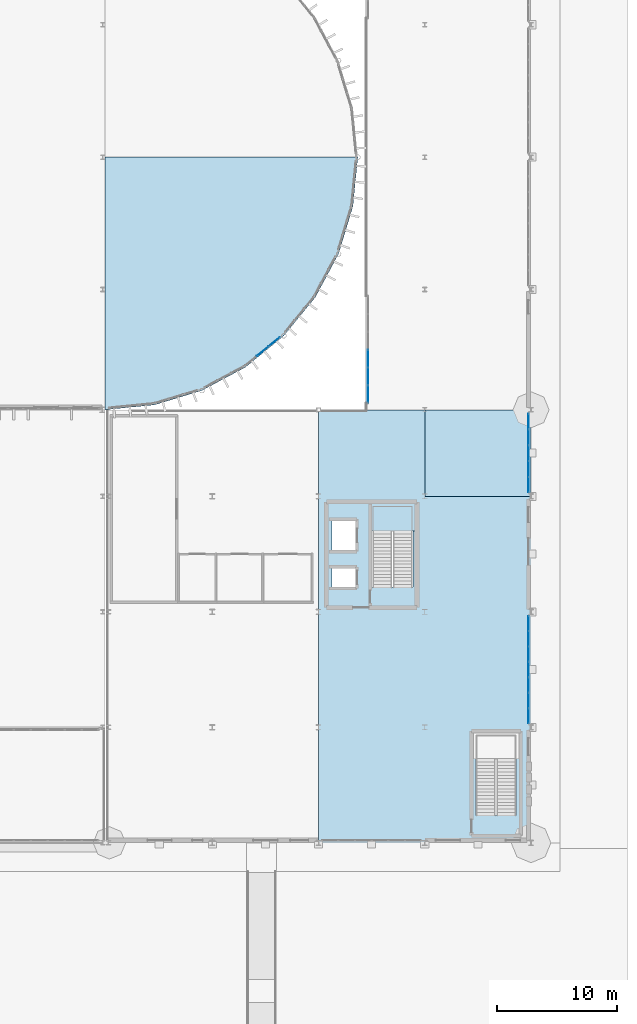
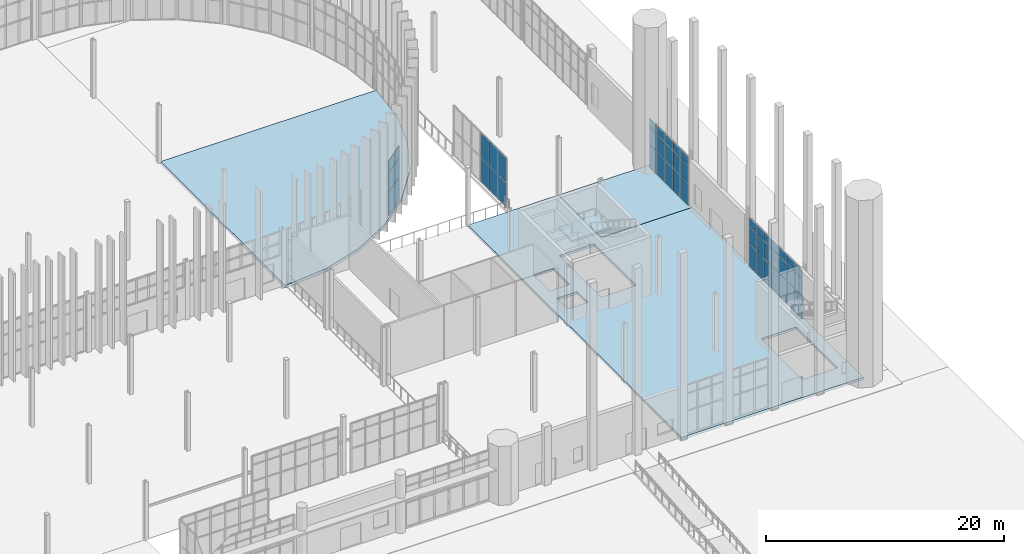
# One storey, part 82 of 139: 48 plates, 4 slabs, 5 elements without a shape of their own.
"""IFC4 building model written with IfcOpenShell, lengths in metres."""

from ifc_helpers import new_model, si_unit, direction, frame, origin, origin_2d, place, context, subcontext, project, spatial, polyline, rectangle, outline, extrude, material, layer, layer_set, type_object, element, aggregate, save


model = new_model("IFC4")

# Units and contexts
model_context = context("Model", 3, precision=1e-05, world=origin(), true_north=direction((0.0, 1.0)))
body_context = subcontext(model_context, "Body", "Model", "MODEL_VIEW")
ifc_project = project(units=[si_unit("LENGTHUNIT", "METRE"), si_unit("AREAUNIT", "SQUARE_METRE"), si_unit("VOLUMEUNIT", "CUBIC_METRE"), si_unit("PLANEANGLEUNIT", "RADIAN"), si_unit("MASSUNIT", "GRAM", prefix="KILO")], contexts=[model_context])

# Site, building, storey
site_placement = place(None, origin())
site = spatial("IfcSite", under=ifc_project, at=site_placement, CompositionType="ELEMENT")
building_placement = place(site_placement, origin())
building = spatial("IfcBuilding", under=site, at=building_placement, Name="Yeouljin Market Hall", CompositionType="ELEMENT")
storey_placement = place(building_placement, origin())
storey = spatial("IfcBuildingStorey", under=building, at=storey_placement, Name="L00", CompositionType="ELEMENT", Elevation=0.0)

# Curtain wall, plates
ifc_material_1 = material(Name="Thermally Broken Aluminium", Category="aluminium")
ifc_layer_1 = layer(ifc_material_1, 0.179931640625)
ifc_layer_set_1 = layer_set([ifc_layer_1], Name="Thermally Broken Aluminium")
curtain_wall_type_1 = type_object("IfcCurtainWallType", Name="CW_ApseCurved_System", PredefinedType="USERDEFINED", material=ifc_layer_set_1)
curtain_wall_1_placement = place(storey_placement, origin())
curtain_wall_1 = element("IfcCurtainWall", 1, at=curtain_wall_1_placement, inside=storey, type_object=curtain_wall_type_1, Name="Curtain wall CW-AP-EL00-04", ObjectType="CURTAIN WALL", PredefinedType="USERDEFINED")
ifc_material_2 = material(Name="Low-E Insulated Glass", Category="glass")
ifc_layer_2 = layer(ifc_material_2, 0.031982421875)
ifc_layer_set_2 = layer_set([ifc_layer_2], Name="Low-E Insulated Glass")
plate_type_1 = type_object("IfcPlateType", Name="CWPanel_AcousticGlass_32", PredefinedType="CURTAIN_PANEL", material=ifc_layer_set_2)
plate_1_placement = place(storey_placement, frame((155.052490234375, 41.6513671875, 0.0478515625), z_axis=(0.0, 0.0, 1.0), x_axis=(-0.773017717982, -0.634384432096, 0.0)))
plate_1 = element("IfcPlate", 2, at=plate_1_placement, type_object=plate_type_1, Name="CW-03 panel 1.1", PredefinedType="CURTAIN_PANEL", context=body_context, shape_type="SweptSolid", body=[
    extrude(rectangle(XDim=1.185791015625, YDim=0.031982421875, at=origin_2d()), origin(), (0.0, 0.0, 1.0), 2.327880859375),
])
plate_2_placement = place(storey_placement, frame((155.052490234375, 41.6513671875, 2.423828125), z_axis=(0.0, 0.0, 1.0), x_axis=(-0.773017717982, -0.634384432096, 0.0)))
plate_2 = element("IfcPlate", 3, at=plate_2_placement, type_object=plate_type_1, Name="CW-03 panel 1.2", PredefinedType="CURTAIN_PANEL", context=body_context, shape_type="SweptSolid", body=[
    extrude(rectangle(XDim=1.185791015625, YDim=0.031982421875, at=origin_2d()), origin(), (0.0, 0.0, 1.0), 1.951904296875),
])
plate_3_placement = place(storey_placement, frame((155.052490234375, 41.6513671875, 4.424072265625), z_axis=(0.0, 0.0, 1.0), x_axis=(-0.773017717982, -0.634384432096, 0.0)))
plate_3 = element("IfcPlate", 4, at=plate_3_placement, type_object=plate_type_1, Name="CW-03 panel 1.3", PredefinedType="CURTAIN_PANEL", context=body_context, shape_type="SweptSolid", body=[
    extrude(rectangle(XDim=1.185791015625, YDim=0.031982421875, at=origin_2d()), origin(), (0.0, 0.0, 1.0), 1.2080078125),
])
plate_4_placement = place(storey_placement, frame((154.089599609375, 40.861083984375, 0.0478515625), z_axis=(0.0, 0.0, 1.0), x_axis=(-0.773017717982, -0.634384432096, 0.0)))
plate_4 = element("IfcPlate", 5, at=plate_4_placement, type_object=plate_type_1, Name="CW-03 panel 2.1", PredefinedType="CURTAIN_PANEL", context=body_context, shape_type="SweptSolid", body=[
    extrude(rectangle(XDim=1.209716796875, YDim=0.031982421875, at=origin_2d()), origin(), (0.0, 0.0, 1.0), 2.327880859375),
])
plate_5_placement = place(storey_placement, frame((154.089599609375, 40.861083984375, 2.423828125), z_axis=(0.0, 0.0, 1.0), x_axis=(-0.773017717982, -0.634384432096, 0.0)))
plate_5 = element("IfcPlate", 6, at=plate_5_placement, type_object=plate_type_1, Name="CW-03 panel 2.2", PredefinedType="CURTAIN_PANEL", context=body_context, shape_type="SweptSolid", body=[
    extrude(rectangle(XDim=1.209716796875, YDim=0.031982421875, at=origin_2d()), origin(), (0.0, 0.0, 1.0), 1.951904296875),
])
plate_6_placement = place(storey_placement, frame((154.089599609375, 40.861083984375, 4.424072265625), z_axis=(0.0, 0.0, 1.0), x_axis=(-0.773017717982, -0.634384432096, 0.0)))
plate_6 = element("IfcPlate", 7, at=plate_6_placement, type_object=plate_type_1, Name="CW-03 panel 2.3", PredefinedType="CURTAIN_PANEL", context=body_context, shape_type="SweptSolid", body=[
    extrude(rectangle(XDim=1.209716796875, YDim=0.031982421875, at=origin_2d()), origin(), (0.0, 0.0, 1.0), 1.2080078125),
])
aggregate(curtain_wall_1, [plate_1, plate_2, plate_3, plate_4, plate_5, plate_6])

ifc_material_3 = material(Name="Thermally Broken Aluminium", Category="aluminium")
ifc_layer_3 = layer(ifc_material_3, 0.14990234375)
ifc_layer_set_3 = layer_set([ifc_layer_3], Name="Thermally Broken Aluminium")
curtain_wall_type_2 = type_object("IfcCurtainWallType", Name="CW_WingStorefront_System", PredefinedType="USERDEFINED", material=ifc_layer_set_3)
curtain_wall_2_placement = place(storey_placement, origin())
curtain_wall_2 = element("IfcCurtainWall", 8, at=curtain_wall_2_placement, inside=storey, type_object=curtain_wall_type_2, Name="Curtain wall CW-V3E-L00-6", ObjectType="CURTAIN WALL", PredefinedType="USERDEFINED")
ifc_material_4 = material(Name="Low-E Insulated Glass", Category="glass")
ifc_layer_4 = layer(ifc_material_4, 0.028076171875)
ifc_layer_set_4 = layer_set([ifc_layer_4], Name="Low-E Insulated Glass")
plate_type_2 = type_object("IfcPlateType", Name="CWPanel_LowE_28", PredefinedType="CURTAIN_PANEL", material=ifc_layer_set_4)
plate_7_placement = place(storey_placement, frame((176.199951171875, 35.028076171875, 0.0478515625), z_axis=(0.0, 0.0, 1.0), x_axis=(0.0, -1.0, 0.0)))
plate_7 = element("IfcPlate", 9, at=plate_7_placement, type_object=plate_type_2, Name="CW-04 panel 1.1", PredefinedType="CURTAIN_PANEL", context=body_context, shape_type="SweptSolid", body=[
    extrude(rectangle(XDim=1.248046875, YDim=0.028076171875, at=origin_2d()), origin(), (0.0, 0.0, 1.0), 2.327880859375),
])
plate_8_placement = place(storey_placement, frame((176.199951171875, 35.028076171875, 2.424072265625), z_axis=(0.0, 0.0, 1.0), x_axis=(0.0, -1.0, 0.0)))
plate_8 = element("IfcPlate", 10, at=plate_8_placement, type_object=plate_type_2, Name="CW-04 panel 1.2", PredefinedType="CURTAIN_PANEL", context=body_context, shape_type="SweptSolid", body=[
    extrude(rectangle(XDim=1.248046875, YDim=0.028076171875, at=origin_2d()), origin(), (0.0, 0.0, 1.0), 1.751953125),
])
plate_9_placement = place(storey_placement, frame((176.199951171875, 35.028076171875, 4.22412109375), z_axis=(0.0, 0.0, 1.0), x_axis=(0.0, -1.0, 0.0)))
plate_9 = element("IfcPlate", 11, at=plate_9_placement, type_object=plate_type_2, Name="CW-04 panel 1.3", PredefinedType="CURTAIN_PANEL", context=body_context, shape_type="SweptSolid", body=[
    extrude(rectangle(XDim=1.248046875, YDim=0.028076171875, at=origin_2d()), origin(), (0.0, 0.0, 1.0), 0.847900390625),
])
plate_10_placement = place(storey_placement, frame((176.199951171875, 33.719970703125, 0.0478515625), z_axis=(0.0, 0.0, 1.0), x_axis=(0.0, -1.0, 0.0)))
plate_10 = element("IfcPlate", 12, at=plate_10_placement, type_object=plate_type_2, Name="CW-04 panel 2.1", PredefinedType="CURTAIN_PANEL", context=body_context, shape_type="SweptSolid", body=[
    extrude(rectangle(XDim=1.27197265625, YDim=0.028076171875, at=origin_2d()), origin(), (0.0, 0.0, 1.0), 2.327880859375),
])
plate_11_placement = place(storey_placement, frame((176.199951171875, 33.719970703125, 2.424072265625), z_axis=(0.0, 0.0, 1.0), x_axis=(0.0, -1.0, 0.0)))
plate_11 = element("IfcPlate", 13, at=plate_11_placement, type_object=plate_type_2, Name="CW-04 panel 2.2", PredefinedType="CURTAIN_PANEL", context=body_context, shape_type="SweptSolid", body=[
    extrude(rectangle(XDim=1.27197265625, YDim=0.028076171875, at=origin_2d()), origin(), (0.0, 0.0, 1.0), 1.751953125),
])
plate_12_placement = place(storey_placement, frame((176.199951171875, 33.719970703125, 4.22412109375), z_axis=(0.0, 0.0, 1.0), x_axis=(0.0, -1.0, 0.0)))
plate_12 = element("IfcPlate", 14, at=plate_12_placement, type_object=plate_type_2, Name="CW-04 panel 2.3", PredefinedType="CURTAIN_PANEL", context=body_context, shape_type="SweptSolid", body=[
    extrude(rectangle(XDim=1.27197265625, YDim=0.028076171875, at=origin_2d()), origin(), (0.0, 0.0, 1.0), 0.847900390625),
])
plate_13_placement = place(storey_placement, frame((176.199951171875, 32.39990234375, 0.0478515625), z_axis=(0.0, 0.0, 1.0), x_axis=(0.0, -1.0, 0.0)))
plate_13 = element("IfcPlate", 15, at=plate_13_placement, type_object=plate_type_2, Name="CW-04 panel 3.1", PredefinedType="CURTAIN_PANEL", context=body_context, shape_type="SweptSolid", body=[
    extrude(rectangle(XDim=1.27197265625, YDim=0.028076171875, at=origin_2d()), origin(), (0.0, 0.0, 1.0), 2.327880859375),
])
plate_14_placement = place(storey_placement, frame((176.199951171875, 32.39990234375, 2.424072265625), z_axis=(0.0, 0.0, 1.0), x_axis=(0.0, -1.0, 0.0)))
plate_14 = element("IfcPlate", 16, at=plate_14_placement, type_object=plate_type_2, Name="CW-04 panel 3.2", PredefinedType="CURTAIN_PANEL", context=body_context, shape_type="SweptSolid", body=[
    extrude(rectangle(XDim=1.27197265625, YDim=0.028076171875, at=origin_2d()), origin(), (0.0, 0.0, 1.0), 1.751953125),
])
plate_15_placement = place(storey_placement, frame((176.199951171875, 32.39990234375, 4.22412109375), z_axis=(0.0, 0.0, 1.0), x_axis=(0.0, -1.0, 0.0)))
plate_15 = element("IfcPlate", 17, at=plate_15_placement, type_object=plate_type_2, Name="CW-04 panel 3.3", PredefinedType="CURTAIN_PANEL", context=body_context, shape_type="SweptSolid", body=[
    extrude(rectangle(XDim=1.27197265625, YDim=0.028076171875, at=origin_2d()), origin(), (0.0, 0.0, 1.0), 0.847900390625),
])
plate_16_placement = place(storey_placement, frame((176.199951171875, 31.080078125, 0.0478515625), z_axis=(0.0, 0.0, 1.0), x_axis=(0.0, -1.0, 0.0)))
plate_16 = element("IfcPlate", 18, at=plate_16_placement, type_object=plate_type_2, Name="CW-04 panel 4.1", PredefinedType="CURTAIN_PANEL", context=body_context, shape_type="SweptSolid", body=[
    extrude(rectangle(XDim=1.27197265625, YDim=0.028076171875, at=origin_2d()), origin(), (0.0, 0.0, 1.0), 2.327880859375),
])
plate_17_placement = place(storey_placement, frame((176.199951171875, 31.080078125, 2.424072265625), z_axis=(0.0, 0.0, 1.0), x_axis=(0.0, -1.0, 0.0)))
plate_17 = element("IfcPlate", 19, at=plate_17_placement, type_object=plate_type_2, Name="CW-04 panel 4.2", PredefinedType="CURTAIN_PANEL", context=body_context, shape_type="SweptSolid", body=[
    extrude(rectangle(XDim=1.27197265625, YDim=0.028076171875, at=origin_2d()), origin(), (0.0, 0.0, 1.0), 1.751953125),
])
plate_18_placement = place(storey_placement, frame((176.199951171875, 31.080078125, 4.22412109375), z_axis=(0.0, 0.0, 1.0), x_axis=(0.0, -1.0, 0.0)))
plate_18 = element("IfcPlate", 20, at=plate_18_placement, type_object=plate_type_2, Name="CW-04 panel 4.3", PredefinedType="CURTAIN_PANEL", context=body_context, shape_type="SweptSolid", body=[
    extrude(rectangle(XDim=1.27197265625, YDim=0.028076171875, at=origin_2d()), origin(), (0.0, 0.0, 1.0), 0.847900390625),
])
plate_19_placement = place(storey_placement, frame((176.199951171875, 29.77197265625, 0.0478515625), z_axis=(0.0, 0.0, 1.0), x_axis=(0.0, -1.0, 0.0)))
plate_19 = element("IfcPlate", 21, at=plate_19_placement, type_object=plate_type_2, Name="CW-04 panel 5.1", PredefinedType="CURTAIN_PANEL", context=body_context, shape_type="SweptSolid", body=[
    extrude(rectangle(XDim=1.248046875, YDim=0.028076171875, at=origin_2d()), origin(), (0.0, 0.0, 1.0), 2.327880859375),
])
plate_20_placement = place(storey_placement, frame((176.199951171875, 29.77197265625, 2.424072265625), z_axis=(0.0, 0.0, 1.0), x_axis=(0.0, -1.0, 0.0)))
plate_20 = element("IfcPlate", 22, at=plate_20_placement, type_object=plate_type_2, Name="CW-04 panel 5.2", PredefinedType="CURTAIN_PANEL", context=body_context, shape_type="SweptSolid", body=[
    extrude(rectangle(XDim=1.248046875, YDim=0.028076171875, at=origin_2d()), origin(), (0.0, 0.0, 1.0), 1.751953125),
])
plate_21_placement = place(storey_placement, frame((176.199951171875, 29.77197265625, 4.22412109375), z_axis=(0.0, 0.0, 1.0), x_axis=(0.0, -1.0, 0.0)))
plate_21 = element("IfcPlate", 23, at=plate_21_placement, type_object=plate_type_2, Name="CW-04 panel 5.3", PredefinedType="CURTAIN_PANEL", context=body_context, shape_type="SweptSolid", body=[
    extrude(rectangle(XDim=1.248046875, YDim=0.028076171875, at=origin_2d()), origin(), (0.0, 0.0, 1.0), 0.847900390625),
])
aggregate(curtain_wall_2, [plate_7, plate_8, plate_9, plate_10, plate_11, plate_12, plate_13, plate_14, plate_15, plate_16, plate_17, plate_18, plate_19, plate_20, plate_21])

curtain_wall_3_placement = place(storey_placement, origin())
curtain_wall_3 = element("IfcCurtainWall", 24, at=curtain_wall_3_placement, inside=storey, type_object=curtain_wall_type_2, Name="Curtain wall CW-V3E-L00-8", ObjectType="CURTAIN WALL", PredefinedType="USERDEFINED")
plate_22_placement = place(storey_placement, frame((176.199951171875, 18.2451171875, 0.0478515625), z_axis=(0.0, 0.0, 1.0), x_axis=(0.0, -1.0, 0.0)))
plate_22 = element("IfcPlate", 25, at=plate_22_placement, type_object=plate_type_2, Name="CW-04 panel 1.1", PredefinedType="CURTAIN_PANEL", context=body_context, shape_type="SweptSolid", body=[
    extrude(rectangle(XDim=1.213623046875, YDim=0.028076171875, at=origin_2d()), origin(), (0.0, 0.0, 1.0), 2.327880859375),
])
plate_23_placement = place(storey_placement, frame((176.199951171875, 18.2451171875, 2.424072265625), z_axis=(0.0, 0.0, 1.0), x_axis=(0.0, -1.0, 0.0)))
plate_23 = element("IfcPlate", 26, at=plate_23_placement, type_object=plate_type_2, Name="CW-04 panel 1.2", PredefinedType="CURTAIN_PANEL", context=body_context, shape_type="SweptSolid", body=[
    extrude(rectangle(XDim=1.213623046875, YDim=0.028076171875, at=origin_2d()), origin(), (0.0, 0.0, 1.0), 1.751953125),
])
plate_24_placement = place(storey_placement, frame((176.199951171875, 18.2451171875, 4.22412109375), z_axis=(0.0, 0.0, 1.0), x_axis=(0.0, -1.0, 0.0)))
plate_24 = element("IfcPlate", 27, at=plate_24_placement, type_object=plate_type_2, Name="CW-04 panel 1.3", PredefinedType="CURTAIN_PANEL", context=body_context, shape_type="SweptSolid", body=[
    extrude(rectangle(XDim=1.213623046875, YDim=0.028076171875, at=origin_2d()), origin(), (0.0, 0.0, 1.0), 0.847900390625),
])
plate_25_placement = place(storey_placement, frame((176.199951171875, 16.971435546875, 0.0478515625), z_axis=(0.0, 0.0, 1.0), x_axis=(0.0, -1.0, 0.0)))
plate_25 = element("IfcPlate", 28, at=plate_25_placement, type_object=plate_type_2, Name="CW-04 panel 2.1", PredefinedType="CURTAIN_PANEL", context=body_context, shape_type="SweptSolid", body=[
    extrude(rectangle(XDim=1.23779296875, YDim=0.028076171875, at=origin_2d()), origin(), (0.0, 0.0, 1.0), 2.327880859375),
])
plate_26_placement = place(storey_placement, frame((176.199951171875, 16.971435546875, 2.424072265625), z_axis=(0.0, 0.0, 1.0), x_axis=(0.0, -1.0, 0.0)))
plate_26 = element("IfcPlate", 29, at=plate_26_placement, type_object=plate_type_2, Name="CW-04 panel 2.2", PredefinedType="CURTAIN_PANEL", context=body_context, shape_type="SweptSolid", body=[
    extrude(rectangle(XDim=1.23779296875, YDim=0.028076171875, at=origin_2d()), origin(), (0.0, 0.0, 1.0), 1.751953125),
])
plate_27_placement = place(storey_placement, frame((176.199951171875, 16.971435546875, 4.22412109375), z_axis=(0.0, 0.0, 1.0), x_axis=(0.0, -1.0, 0.0)))
plate_27 = element("IfcPlate", 30, at=plate_27_placement, type_object=plate_type_2, Name="CW-04 panel 2.3", PredefinedType="CURTAIN_PANEL", context=body_context, shape_type="SweptSolid", body=[
    extrude(rectangle(XDim=1.23779296875, YDim=0.028076171875, at=origin_2d()), origin(), (0.0, 0.0, 1.0), 0.847900390625),
])
plate_28_placement = place(storey_placement, frame((176.199951171875, 15.685791015625, 0.0478515625), z_axis=(0.0, 0.0, 1.0), x_axis=(0.0, -1.0, 0.0)))
plate_28 = element("IfcPlate", 31, at=plate_28_placement, type_object=plate_type_2, Name="CW-04 panel 3.1", PredefinedType="CURTAIN_PANEL", context=body_context, shape_type="SweptSolid", body=[
    extrude(rectangle(XDim=1.23779296875, YDim=0.028076171875, at=origin_2d()), origin(), (0.0, 0.0, 1.0), 2.327880859375),
])
plate_29_placement = place(storey_placement, frame((176.199951171875, 15.685791015625, 2.424072265625), z_axis=(0.0, 0.0, 1.0), x_axis=(0.0, -1.0, 0.0)))
plate_29 = element("IfcPlate", 32, at=plate_29_placement, type_object=plate_type_2, Name="CW-04 panel 3.2", PredefinedType="CURTAIN_PANEL", context=body_context, shape_type="SweptSolid", body=[
    extrude(rectangle(XDim=1.23779296875, YDim=0.028076171875, at=origin_2d()), origin(), (0.0, 0.0, 1.0), 1.751953125),
])
plate_30_placement = place(storey_placement, frame((176.199951171875, 15.685791015625, 4.22412109375), z_axis=(0.0, 0.0, 1.0), x_axis=(0.0, -1.0, 0.0)))
plate_30 = element("IfcPlate", 33, at=plate_30_placement, type_object=plate_type_2, Name="CW-04 panel 3.3", PredefinedType="CURTAIN_PANEL", context=body_context, shape_type="SweptSolid", body=[
    extrude(rectangle(XDim=1.23779296875, YDim=0.028076171875, at=origin_2d()), origin(), (0.0, 0.0, 1.0), 0.847900390625),
])
plate_31_placement = place(storey_placement, frame((176.199951171875, 14.39990234375, 0.0478515625), z_axis=(0.0, 0.0, 1.0), x_axis=(0.0, -1.0, 0.0)))
plate_31 = element("IfcPlate", 34, at=plate_31_placement, type_object=plate_type_2, Name="CW-04 panel 4.1", PredefinedType="CURTAIN_PANEL", context=body_context, shape_type="SweptSolid", body=[
    extrude(rectangle(XDim=1.23779296875, YDim=0.028076171875, at=origin_2d()), origin(), (0.0, 0.0, 1.0), 2.327880859375),
])
plate_32_placement = place(storey_placement, frame((176.199951171875, 14.39990234375, 2.424072265625), z_axis=(0.0, 0.0, 1.0), x_axis=(0.0, -1.0, 0.0)))
plate_32 = element("IfcPlate", 35, at=plate_32_placement, type_object=plate_type_2, Name="CW-04 panel 4.2", PredefinedType="CURTAIN_PANEL", context=body_context, shape_type="SweptSolid", body=[
    extrude(rectangle(XDim=1.23779296875, YDim=0.028076171875, at=origin_2d()), origin(), (0.0, 0.0, 1.0), 1.751953125),
])
plate_33_placement = place(storey_placement, frame((176.199951171875, 14.39990234375, 4.22412109375), z_axis=(0.0, 0.0, 1.0), x_axis=(0.0, -1.0, 0.0)))
plate_33 = element("IfcPlate", 36, at=plate_33_placement, type_object=plate_type_2, Name="CW-04 panel 4.3", PredefinedType="CURTAIN_PANEL", context=body_context, shape_type="SweptSolid", body=[
    extrude(rectangle(XDim=1.23779296875, YDim=0.028076171875, at=origin_2d()), origin(), (0.0, 0.0, 1.0), 0.847900390625),
])
plate_34_placement = place(storey_placement, frame((176.199951171875, 13.1142578125, 0.0478515625), z_axis=(0.0, 0.0, 1.0), x_axis=(0.0, -1.0, 0.0)))
plate_34 = element("IfcPlate", 37, at=plate_34_placement, type_object=plate_type_2, Name="CW-04 panel 5.1", PredefinedType="CURTAIN_PANEL", context=body_context, shape_type="SweptSolid", body=[
    extrude(rectangle(XDim=1.23779296875, YDim=0.028076171875, at=origin_2d()), origin(), (0.0, 0.0, 1.0), 2.327880859375),
])
plate_35_placement = place(storey_placement, frame((176.199951171875, 13.1142578125, 2.424072265625), z_axis=(0.0, 0.0, 1.0), x_axis=(0.0, -1.0, 0.0)))
plate_35 = element("IfcPlate", 38, at=plate_35_placement, type_object=plate_type_2, Name="CW-04 panel 5.2", PredefinedType="CURTAIN_PANEL", context=body_context, shape_type="SweptSolid", body=[
    extrude(rectangle(XDim=1.23779296875, YDim=0.028076171875, at=origin_2d()), origin(), (0.0, 0.0, 1.0), 1.751953125),
])
plate_36_placement = place(storey_placement, frame((176.199951171875, 13.1142578125, 4.22412109375), z_axis=(0.0, 0.0, 1.0), x_axis=(0.0, -1.0, 0.0)))
plate_36 = element("IfcPlate", 39, at=plate_36_placement, type_object=plate_type_2, Name="CW-04 panel 5.3", PredefinedType="CURTAIN_PANEL", context=body_context, shape_type="SweptSolid", body=[
    extrude(rectangle(XDim=1.23779296875, YDim=0.028076171875, at=origin_2d()), origin(), (0.0, 0.0, 1.0), 0.847900390625),
])
plate_37_placement = place(storey_placement, frame((176.199951171875, 11.82861328125, 0.0478515625), z_axis=(0.0, 0.0, 1.0), x_axis=(0.0, -1.0, 0.0)))
plate_37 = element("IfcPlate", 40, at=plate_37_placement, type_object=plate_type_2, Name="CW-04 panel 6.1", PredefinedType="CURTAIN_PANEL", context=body_context, shape_type="SweptSolid", body=[
    extrude(rectangle(XDim=1.23779296875, YDim=0.028076171875, at=origin_2d()), origin(), (0.0, 0.0, 1.0), 2.327880859375),
])
plate_38_placement = place(storey_placement, frame((176.199951171875, 11.82861328125, 2.424072265625), z_axis=(0.0, 0.0, 1.0), x_axis=(0.0, -1.0, 0.0)))
plate_38 = element("IfcPlate", 41, at=plate_38_placement, type_object=plate_type_2, Name="CW-04 panel 6.2", PredefinedType="CURTAIN_PANEL", context=body_context, shape_type="SweptSolid", body=[
    extrude(rectangle(XDim=1.23779296875, YDim=0.028076171875, at=origin_2d()), origin(), (0.0, 0.0, 1.0), 1.751953125),
])
plate_39_placement = place(storey_placement, frame((176.199951171875, 11.82861328125, 4.22412109375), z_axis=(0.0, 0.0, 1.0), x_axis=(0.0, -1.0, 0.0)))
plate_39 = element("IfcPlate", 42, at=plate_39_placement, type_object=plate_type_2, Name="CW-04 panel 6.3", PredefinedType="CURTAIN_PANEL", context=body_context, shape_type="SweptSolid", body=[
    extrude(rectangle(XDim=1.23779296875, YDim=0.028076171875, at=origin_2d()), origin(), (0.0, 0.0, 1.0), 0.847900390625),
])
plate_40_placement = place(storey_placement, frame((176.199951171875, 10.554931640625, 0.0478515625), z_axis=(0.0, 0.0, 1.0), x_axis=(0.0, -1.0, 0.0)))
plate_40 = element("IfcPlate", 43, at=plate_40_placement, type_object=plate_type_2, Name="CW-04 panel 7.1", PredefinedType="CURTAIN_PANEL", context=body_context, shape_type="SweptSolid", body=[
    extrude(rectangle(XDim=1.213623046875, YDim=0.028076171875, at=origin_2d()), origin(), (0.0, 0.0, 1.0), 2.327880859375),
])
plate_41_placement = place(storey_placement, frame((176.199951171875, 10.554931640625, 2.424072265625), z_axis=(0.0, 0.0, 1.0), x_axis=(0.0, -1.0, 0.0)))
plate_41 = element("IfcPlate", 44, at=plate_41_placement, type_object=plate_type_2, Name="CW-04 panel 7.2", PredefinedType="CURTAIN_PANEL", context=body_context, shape_type="SweptSolid", body=[
    extrude(rectangle(XDim=1.213623046875, YDim=0.028076171875, at=origin_2d()), origin(), (0.0, 0.0, 1.0), 1.751953125),
])
plate_42_placement = place(storey_placement, frame((176.199951171875, 10.554931640625, 4.22412109375), z_axis=(0.0, 0.0, 1.0), x_axis=(0.0, -1.0, 0.0)))
plate_42 = element("IfcPlate", 45, at=plate_42_placement, type_object=plate_type_2, Name="CW-04 panel 7.3", PredefinedType="CURTAIN_PANEL", context=body_context, shape_type="SweptSolid", body=[
    extrude(rectangle(XDim=1.213623046875, YDim=0.028076171875, at=origin_2d()), origin(), (0.0, 0.0, 1.0), 0.847900390625),
])
aggregate(curtain_wall_3, [plate_22, plate_23, plate_24, plate_25, plate_26, plate_27, plate_28, plate_29, plate_30, plate_31, plate_32, plate_33, plate_34, plate_35, plate_36, plate_37, plate_38, plate_39, plate_40, plate_41, plate_42])

curtain_wall_4_placement = place(storey_placement, origin())
curtain_wall_4 = element("IfcCurtainWall", 46, at=curtain_wall_4_placement, inside=storey, type_object=curtain_wall_type_2, Name="Curtain wall CW-CRT-L00-13", ObjectType="CURTAIN WALL", PredefinedType="USERDEFINED")
plate_43_placement = place(storey_placement, frame((162.85009765625, 40.25830078125, 0.0478515625), z_axis=(0.0, 0.0, 1.0), x_axis=(0.0, -1.0, 0.0)))
plate_43 = element("IfcPlate", 47, at=plate_43_placement, type_object=plate_type_2, Name="CW-04 panel 4.1", PredefinedType="CURTAIN_PANEL", context=body_context, shape_type="SweptSolid", body=[
    extrude(rectangle(XDim=1.435302734375, YDim=0.028076171875, at=origin_2d()), origin(), (0.0, 0.0, 1.0), 2.488037109375),
])
plate_44_placement = place(storey_placement, frame((162.85009765625, 40.25830078125, 2.583984375), z_axis=(0.0, 0.0, 1.0), x_axis=(0.0, -1.0, 0.0)))
plate_44 = element("IfcPlate", 48, at=plate_44_placement, type_object=plate_type_2, Name="CW-04 panel 4.2", PredefinedType="CURTAIN_PANEL", context=body_context, shape_type="SweptSolid", body=[
    extrude(rectangle(XDim=1.435302734375, YDim=0.028076171875, at=origin_2d()), origin(), (0.0, 0.0, 1.0), 2.488037109375),
])
plate_45_placement = place(storey_placement, frame((162.85009765625, 38.77490234375, 0.0478515625), z_axis=(0.0, 0.0, 1.0), x_axis=(0.0, -1.0, 0.0)))
plate_45 = element("IfcPlate", 49, at=plate_45_placement, type_object=plate_type_2, Name="CW-04 panel 5.1", PredefinedType="CURTAIN_PANEL", context=body_context, shape_type="SweptSolid", body=[
    extrude(rectangle(XDim=1.435302734375, YDim=0.028076171875, at=origin_2d()), origin(), (0.0, 0.0, 1.0), 2.488037109375),
])
plate_46_placement = place(storey_placement, frame((162.85009765625, 38.77490234375, 2.583984375), z_axis=(0.0, 0.0, 1.0), x_axis=(0.0, -1.0, 0.0)))
plate_46 = element("IfcPlate", 50, at=plate_46_placement, type_object=plate_type_2, Name="CW-04 panel 5.2", PredefinedType="CURTAIN_PANEL", context=body_context, shape_type="SweptSolid", body=[
    extrude(rectangle(XDim=1.435302734375, YDim=0.028076171875, at=origin_2d()), origin(), (0.0, 0.0, 1.0), 2.488037109375),
])
plate_47_placement = place(storey_placement, frame((162.85009765625, 37.3037109375, 0.0478515625), z_axis=(0.0, 0.0, 1.0), x_axis=(0.0, -1.0, 0.0)))
plate_47 = element("IfcPlate", 51, at=plate_47_placement, type_object=plate_type_2, Name="CW-04 panel 6.1", PredefinedType="CURTAIN_PANEL", context=body_context, shape_type="SweptSolid", body=[
    extrude(rectangle(XDim=1.411376953125, YDim=0.028076171875, at=origin_2d()), origin(), (0.0, 0.0, 1.0), 2.488037109375),
])
plate_48_placement = place(storey_placement, frame((162.85009765625, 37.3037109375, 2.583984375), z_axis=(0.0, 0.0, 1.0), x_axis=(0.0, -1.0, 0.0)))
plate_48 = element("IfcPlate", 52, at=plate_48_placement, type_object=plate_type_2, Name="CW-04 panel 6.2", PredefinedType="CURTAIN_PANEL", context=body_context, shape_type="SweptSolid", body=[
    extrude(rectangle(XDim=1.411376953125, YDim=0.028076171875, at=origin_2d()), origin(), (0.0, 0.0, 1.0), 2.488037109375),
])
aggregate(curtain_wall_4, [plate_43, plate_44, plate_45, plate_46, plate_47, plate_48])

# Slabs
ifc_material_5 = material(Name="Concrete C35/45", Category="concrete")
ifc_layer_5 = layer(ifc_material_5, 0.300048828125)
ifc_layer_set_5 = layer_set([ifc_layer_5], Name="Concrete C35/45")
slab_type_1 = type_object("IfcSlabType", Name="SLB_APSE_300", PredefinedType="FLOOR", material=ifc_layer_set_5)
slab_1_placement = place(storey_placement, frame((0.0, 0.0, -0.300048828125)))
element("IfcSlab", 53, at=slab_1_placement, inside=storey, type_object=slab_type_1, Name="Structural slab SLB-L00-AES", PredefinedType="FLOOR", context=body_context, shape_type="SweptSolid", body=[
    extrude(outline(polyline([(141.0, 57.0), (141.0, 36.0), (145.096923828125, 36.403564453125), (149.036376953125, 37.598388671875), (152.6669921875, 39.5390625), (155.84912109375, 42.15087890625), (158.4609375, 45.3330078125), (160.401611328125, 48.963623046875), (161.596435546875, 52.903076171875), (162.0, 57.0), (141.0, 57.0)])), origin(), (0.0, 0.0, 1.0), 0.300048828125),
])
ifc_material_6 = material(Name="Concrete C30/37", Category="concrete")
ifc_layer_6 = layer(ifc_material_6, 0.25)
ifc_layer_set_6 = layer_set([ifc_layer_6], Name="Concrete C30/37")
slab_type_2 = type_object("IfcSlabType", Name="SLB_WING_250", PredefinedType="FLOOR", material=ifc_layer_set_6)
slab_2_placement = place(storey_placement, frame((0.0, 0.0, -0.25)))
element("IfcSlab", 54, at=slab_2_placement, inside=storey, type_object=slab_type_2, Name="Structural slab SLB-L00-ES2", PredefinedType="FLOOR", context=body_context, shape_type="SweptSolid", body=[
    extrude(outline(polyline([(158.739990234375, 0.0), (176.39990234375, 0.0), (176.39990234375, 28.800048828125), (167.570068359375, 28.800048828125), (167.570068359375, 36.0), (158.739990234375, 36.0), (158.739990234375, 0.0)]), holes=[polyline([(163.169921875, 21.25), (166.570068359375, 21.25), (166.570068359375, 28.27001953125), (163.169921875, 28.27001953125), (163.169921875, 21.25)]), polyline([(171.800048828125, 2.300048828125), (175.199951171875, 2.300048828125), (175.199951171875, 9.219970703125), (171.800048828125, 9.219970703125), (171.800048828125, 2.300048828125)]), polyline([(159.864990234375, 21.14990234375), (161.81494140625, 21.14990234375), (161.81494140625, 22.949951171875), (159.864990234375, 22.949951171875), (159.864990234375, 21.14990234375)]), polyline([(159.864990234375, 24.199951171875), (161.81494140625, 24.199951171875), (161.81494140625, 26.89990234375), (159.864990234375, 26.89990234375), (159.864990234375, 24.199951171875)])]), origin(), (0.0, 0.0, 1.0), 0.25),
])
ifc_material_7 = material(Name="Concrete C30/37", Category="concrete")
ifc_layer_7 = layer(ifc_material_7, 0.260009765625)
ifc_layer_set_7 = layer_set([ifc_layer_7], Name="Concrete C30/37")
slab_type_3 = type_object("IfcSlabType", Name="SLB_WING_260", PredefinedType="FLOOR", material=ifc_layer_set_7)
slab_3_placement = place(storey_placement, frame((0.0, 0.0, -0.260009765625)))
element("IfcSlab", 55, at=slab_3_placement, inside=storey, type_object=slab_type_3, Name="Structural slab SLB-L00-ES3", PredefinedType="FLOOR", context=body_context, shape_type="SweptSolid", body=[
    extrude(outline(polyline([(167.570068359375, 28.800048828125), (176.39990234375, 28.800048828125), (176.39990234375, 36.0), (167.570068359375, 36.0), (167.570068359375, 28.800048828125)])), origin(), (0.0, 0.0, 1.0), 0.260009765625),
])

# Stair, slab
ifc_material_8 = material(Name="Concrete C30/37", Category="concrete")
stair_type = type_object("IfcStairType", Name="Stair_Core_L00_L01", PredefinedType="TWO_STRAIGHT_RUN_STAIR", material=ifc_material_8)
stair_placement = place(storey_placement, origin())
stair = element("IfcStair", 56, at=stair_placement, inside=storey, type_object=stair_type, Name="Enclosed exit stair ST-C3-L00", PredefinedType="TWO_STRAIGHT_RUN_STAIR")
ifc_material_9 = material(Name="Concrete C30/37", Category="concrete")
ifc_layer_8 = layer(ifc_material_9, 0.219970703125)
ifc_layer_set_8 = layer_set([ifc_layer_8], Name="Concrete C30/37")
slab_type_4 = type_object("IfcSlabType", Name="StairLanding_220", PredefinedType="LANDING", material=ifc_layer_set_8)
slab_4_placement = place(storey_placement, frame((0.0, 0.0, 2.780029296875)))
slab_4 = element("IfcSlab", 57, at=slab_4_placement, type_object=slab_type_4, Name="ST-C3-L00 landing 1", PredefinedType="LANDING", context=body_context, shape_type="SweptSolid", body=[
    extrude(outline(polyline([(163.050048828125, 25.919921875), (166.800048828125, 25.919921875), (166.800048828125, 28.22998046875), (163.050048828125, 28.22998046875), (163.050048828125, 25.919921875)])), origin(), (0.0, 0.0, 1.0), 0.219970703125),
])
aggregate(stair, [slab_4])

save(model, "model.ifc")
